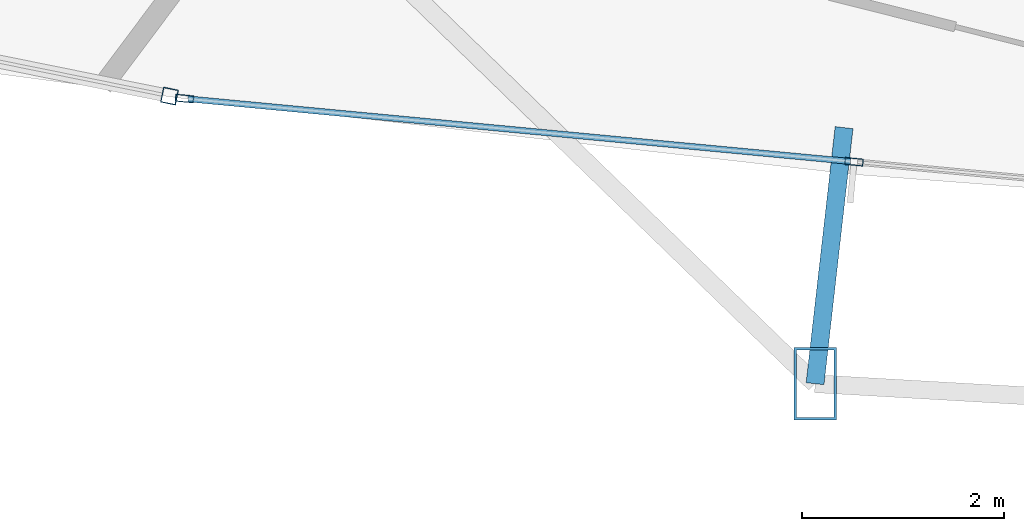
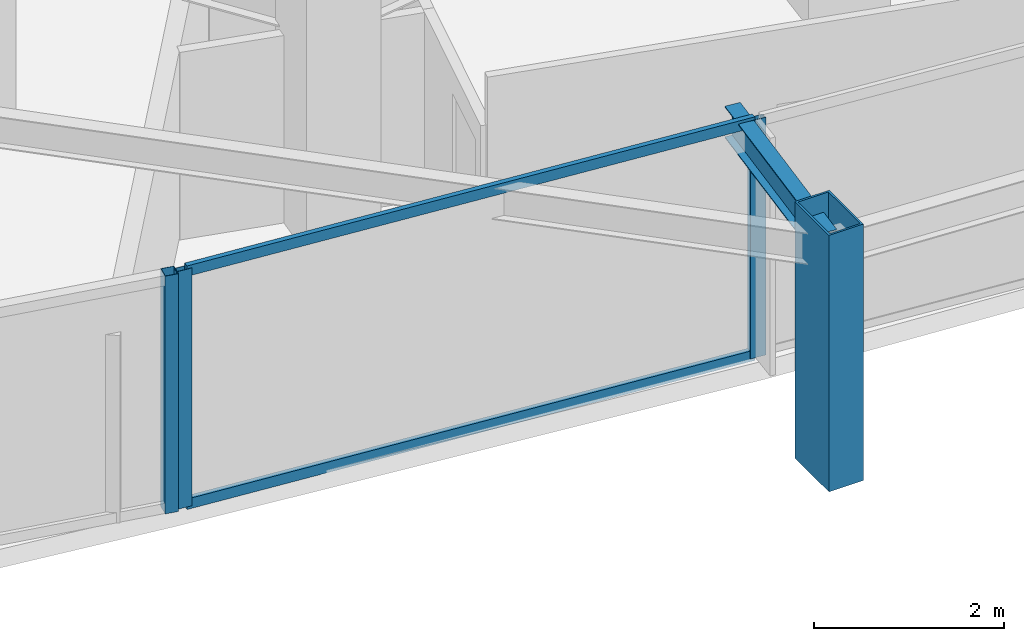
# One storey, part 4 of 35: 6 members, 1 beam, 2 elements without a shape of their own.
"""IFC4 building model written with IfcOpenShell, lengths in metres."""

from ifc_helpers import new_model, si_unit, direction, frame, origin, origin_2d, place, context, subcontext, project, spatial, hollow_rectangle, i_section, extrude, material, layer, layer_set, material_profile, profile_set, type_object, element, aggregate, save


model = new_model("IFC4")

# Units and contexts
model_context = context("Model", 3, precision=1e-05, world=origin(), true_north=direction((0.0, 1.0)))
body_context = subcontext(model_context, "Body", "Model", "MODEL_VIEW")
ifc_project = project(units=[si_unit("LENGTHUNIT", "METRE"), si_unit("AREAUNIT", "SQUARE_METRE"), si_unit("VOLUMEUNIT", "CUBIC_METRE"), si_unit("PLANEANGLEUNIT", "RADIAN"), si_unit("MASSUNIT", "GRAM", prefix="KILO")], contexts=[model_context])

# Site, building, storey
site_placement = place(None, origin())
site = spatial("IfcSite", under=ifc_project, at=site_placement, CompositionType="ELEMENT")
building_placement = place(site_placement, origin())
building = spatial("IfcBuilding", under=site, at=building_placement, Name="Orvanel Arch Residences", CompositionType="ELEMENT")
storey_placement = place(building_placement, frame((0.0, 0.0, 36.800048828125)))
storey = spatial("IfcBuildingStorey", under=building, at=storey_placement, Name="L09", CompositionType="ELEMENT", Elevation=36.800048828125)

# Member
ifc_material_1 = material(Name="Structural steel AS/NZS 3678 Grade 350", Category="steel")
ifc_material_profile_1 = material_profile(ifc_material_1, hollow_rectangle(XDim=0.419921875, YDim=0.719970703125, WallThickness=0.02490234375, at=origin_2d()), Name="RHS720x420x25")
ifc_profile_set_1 = profile_set([ifc_material_profile_1], Name="Structural steel AS/NZS 3678 Grade 350")
member_type_1 = type_object("IfcMemberType", Name="CH-720RHS-EXT", PredefinedType="CHORD", material=ifc_profile_set_1)
member_1_placement = place(storey_placement, frame((19.259033203125, -0.2080078125, 0.0), z_axis=(0.0, 0.0, 1.0), x_axis=(1.0, 0.0, 0.0)))
element("IfcMember", 1, at=member_1_placement, inside=storey, type_object=member_type_1, Name="L09 Outer Perimeter Frame Post 05", PredefinedType="CHORD", context=body_context, shape_type="SweptSolid", body=[
    extrude(hollow_rectangle(XDim=0.419921875, YDim=0.719970703125, WallThickness=0.02490234375, at=origin_2d()), origin(), (0.0, 0.0, 1.0), 3.300048828125),
])

# Curtain wall, member
ifc_material_2 = material(Name="Bronze-anodised aluminium AA6063-T6", Category="aluminium")
ifc_layer_1 = layer(ifc_material_2, 0.18994140625)
ifc_layer_set_1 = layer_set([ifc_layer_1], Name="Bronze-anodised aluminium AA6063-T6")
curtain_wall_type_1 = type_object("IfcCurtainWallType", Name="CW5-CRN-SYS", PredefinedType="NOTDEFINED", material=ifc_layer_set_1)
curtain_wall_1_placement = place(storey_placement, origin())
curtain_wall_1 = element("IfcCurtainWall", 2, at=curtain_wall_1_placement, inside=storey, type_object=curtain_wall_type_1, Name="L09 CW5-CRN-SYS Unitised Curtain Wall", PredefinedType="NOTDEFINED")
ifc_material_profile_2 = material_profile(ifc_material_2, hollow_rectangle(XDim=0.14990234375, YDim=0.14990234375, WallThickness=0.0048828125, at=origin_2d()), Name="ALU150x150x5")
ifc_profile_set_2 = profile_set([ifc_material_profile_2], Name="Bronze-anodised aluminium AA6063-T6")
member_type_2 = type_object("IfcMemberType", Name="MUL-150x150", PredefinedType="MULLION", material=ifc_profile_set_2)
member_2_placement = place(storey_placement, frame((12.87353515625, 2.636962890625, 0.0), z_axis=(0.0, 0.0, 1.0), x_axis=(0.198159258538, 0.980169836434, 0.0)))
member_2 = element("IfcMember", 3, at=member_2_placement, type_object=member_type_2, Name="CW-S5 mullion 3", PredefinedType="MULLION", context=body_context, shape_type="SweptSolid", body=[
    extrude(hollow_rectangle(XDim=0.14990234375, YDim=0.14990234375, WallThickness=0.0048828125, at=origin_2d()), origin(), (0.0, 0.0, 1.0), 3.06005859375),
])
aggregate(curtain_wall_1, [member_2])

# Curtain wall, members
ifc_layer_2 = layer(ifc_material_2, 0.179931640625)
ifc_layer_set_2 = layer_set([ifc_layer_2], Name="Bronze-anodised aluminium AA6063-T6")
curtain_wall_type_2 = type_object("IfcCurtainWallType", Name="CW2-LOW-SYS", PredefinedType="NOTDEFINED", material=ifc_layer_set_2)
curtain_wall_2_placement = place(storey_placement, origin())
curtain_wall_2 = element("IfcCurtainWall", 4, at=curtain_wall_2_placement, inside=storey, type_object=curtain_wall_type_2, Name="L09 CW2-LOW-SYS Unitised Curtain Wall", PredefinedType="NOTDEFINED")
ifc_material_profile_3 = material_profile(ifc_material_2, hollow_rectangle(XDim=0.070068359375, YDim=0.179931640625, WallThickness=0.00439453125, at=origin_2d()), Name="ALU180x70x4.5")
ifc_profile_set_3 = profile_set([ifc_material_profile_3], Name="Bronze-anodised aluminium AA6063-T6")
member_type_3 = type_object("IfcMemberType", Name="MUL-180x70", PredefinedType="MULLION", material=ifc_profile_set_3)
member_3_placement = place(storey_placement, frame((13.021728515625, 2.61279296875, 0.0), z_axis=(0.0, 0.0, 1.0), x_axis=(0.094061026895, 0.995566433353, 0.0)))
member_3 = element("IfcMember", 5, at=member_3_placement, type_object=member_type_3, Name="CW-S2 mullion 1", PredefinedType="MULLION", context=body_context, shape_type="SweptSolid", body=[
    extrude(hollow_rectangle(XDim=0.070068359375, YDim=0.179931640625, WallThickness=0.00439453125, at=origin_2d()), origin(), (0.0, 0.0, 1.0), 3.06005859375),
])
member_4_placement = place(storey_placement, frame((19.64453125, 1.987060546875, 0.0), z_axis=(0.0, 0.0, 1.0), x_axis=(0.094061026895, 0.995566433353, 0.0)))
member_4 = element("IfcMember", 6, at=member_4_placement, type_object=member_type_3, Name="CW-S2 mullion 2", PredefinedType="MULLION", context=body_context, shape_type="SweptSolid", body=[
    extrude(hollow_rectangle(XDim=0.070068359375, YDim=0.179931640625, WallThickness=0.00439453125, at=origin_2d()), origin(), (0.0, 0.0, 1.0), 3.06005859375),
])

# Beam
ifc_material_3 = material(Name="Structural steel AS/NZS 3679.1 Grade 300 (300 MPa)", Category="steel")
ifc_material_profile_4 = material_profile(ifc_material_3, i_section(OverallWidth=0.177978515625, OverallDepth=0.406005859375, WebThickness=0.0078125, FlangeThickness=0.0126953125, at=origin_2d()), Name="410UB59.7")
ifc_profile_set_4 = profile_set([ifc_material_profile_4], Name="Structural steel AS/NZS 3679.1 Grade 300 (300 MPa)")
beam_type = type_object("IfcBeamType", Name="OB-410UB-EXT", PredefinedType="SPANDREL", material=ifc_profile_set_4)
beam_placement = place(storey_placement, frame((19.5458984375, 2.324951171875, 2.85693359375), z_axis=(-0.112533619601, -0.993647917755, 0.0), x_axis=(0.993647917755, -0.112533619601, 0.0)))
element("IfcBeam", 7, at=beam_placement, inside=storey, type_object=beam_type, Name="L09 Outer Frame Radial Tie Beam 05", PredefinedType="SPANDREL", context=body_context, shape_type="SweptSolid", body=[
    extrude(i_section(OverallWidth=0.177978515625, OverallDepth=0.406005859375, WebThickness=0.0078125, FlangeThickness=0.0126953125, at=origin_2d()), origin(), (0.0, 0.0, 1.0), 2.549072265625),
])

# Member
ifc_material_profile_5 = material_profile(ifc_material_2, hollow_rectangle(XDim=0.06005859375, YDim=0.135009765625, WallThickness=0.00390625, at=origin_2d()), Name="ALU135x60x4")
ifc_profile_set_5 = profile_set([ifc_material_profile_5], Name="Bronze-anodised aluminium AA6063-T6")
member_type_4 = type_object("IfcMemberType", Name="TRN-135x60", PredefinedType="USERDEFINED", material=ifc_profile_set_5)
member_5_placement = place(storey_placement, frame((13.056640625, 2.609375, 0.030029296875), z_axis=(0.995566208487, -0.094063406904, 0.0), x_axis=(0.094063406904, 0.995566208487, 0.0)))
member_5 = element("IfcMember", 8, at=member_5_placement, type_object=member_type_4, Name="CW-S2 transom 1.1", ObjectType="TRANSOM", PredefinedType="USERDEFINED", context=body_context, shape_type="SweptSolid", body=[
    extrude(hollow_rectangle(XDim=0.06005859375, YDim=0.135009765625, WallThickness=0.00390625, at=origin_2d()), origin(), (0.0, 0.0, 1.0), 6.582275390625),
])

member_6_placement = place(storey_placement, frame((13.056640625, 2.609375, 3.030029296875), z_axis=(0.995566208487, -0.094063406904, 0.0), x_axis=(0.094063406904, 0.995566208487, 0.0)))
member_6 = element("IfcMember", 9, at=member_6_placement, type_object=member_type_4, Name="CW-S2 transom 1.2", ObjectType="TRANSOM", PredefinedType="USERDEFINED", context=body_context, shape_type="SweptSolid", body=[
    extrude(hollow_rectangle(XDim=0.06005859375, YDim=0.135009765625, WallThickness=0.00390625, at=origin_2d()), origin(), (0.0, 0.0, 1.0), 6.582275390625),
])

aggregate(curtain_wall_2, [member_3, member_4, member_5, member_6])

save(model, "model.ifc")
